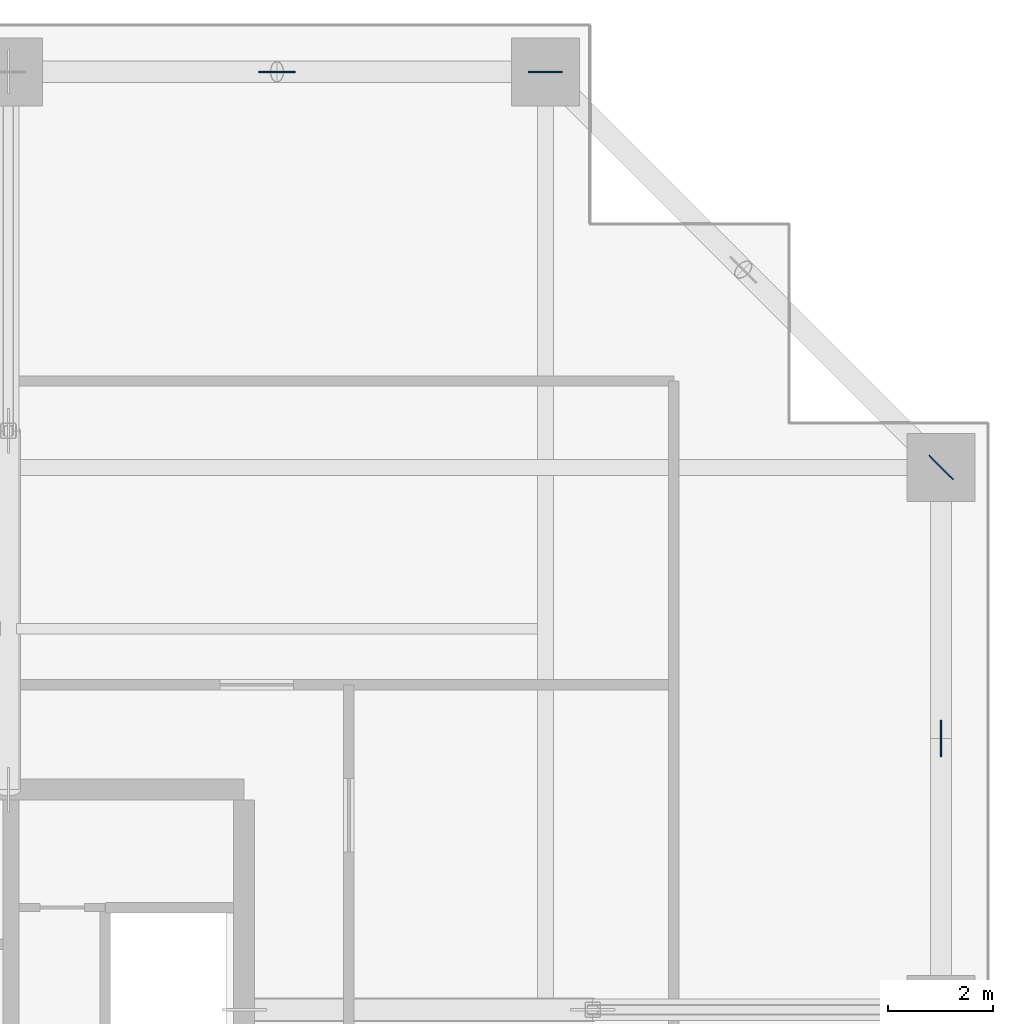
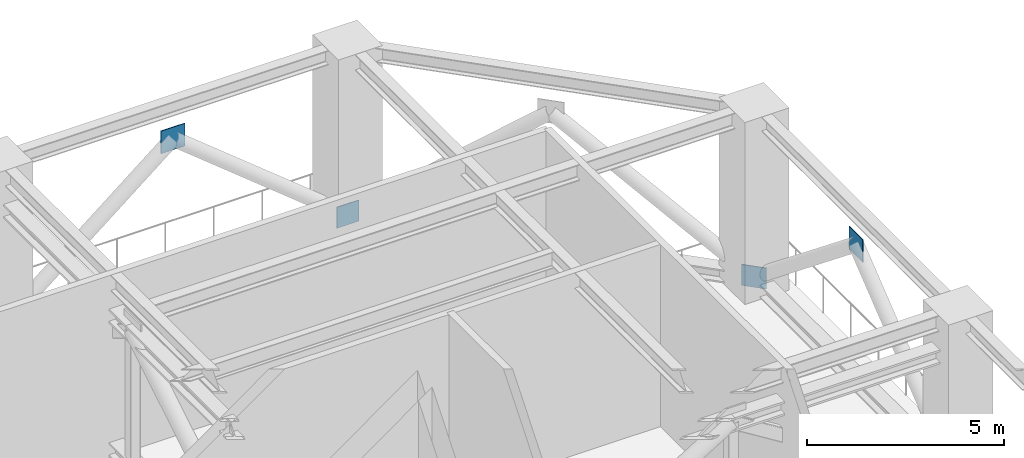
# One storey, part 14 of 22: 4 plates.
"""IFC4 building model written with IfcOpenShell, lengths in metres."""

from ifc_helpers import new_model, si_unit, direction, frame, origin, origin_2d, place, context, subcontext, project, spatial, rectangle, extrude, source, transform, mapped, material, layer, layer_set, type_object, element, save


model = new_model("IFC4")

# Units and contexts
model_context = context("Model", 3, precision=1e-05, world=origin(), true_north=direction((0.0, 1.0)))
body_context = subcontext(model_context, "Body", "Model", "MODEL_VIEW")
ifc_project = project(units=[si_unit("LENGTHUNIT", "METRE"), si_unit("AREAUNIT", "SQUARE_METRE"), si_unit("VOLUMEUNIT", "CUBIC_METRE"), si_unit("PLANEANGLEUNIT", "RADIAN"), si_unit("MASSUNIT", "GRAM", prefix="KILO")], contexts=[model_context])

# Site, building, storey
site_placement = place(None, origin())
site = spatial("IfcSite", under=ifc_project, at=site_placement, CompositionType="ELEMENT")
building_placement = place(site_placement, origin())
building = spatial("IfcBuilding", under=site, at=building_placement, Name="Serunith Strait Residences", CompositionType="ELEMENT")
storey_placement = place(building_placement, frame((0.0, 0.0, 198.89990234375)))
storey = spatial("IfcBuildingStorey", under=building, at=storey_placement, Name="L50", CompositionType="ELEMENT", Elevation=198.89990234375)

# Plates
ifc_material = material(Name="Steel S460M", Category="steel")
ifc_layer = layer(ifc_material, 0.02490234375, Name="Steel S460M")
ifc_layer_set = layer_set([ifc_layer], Name="Steel S460M")
plate_type = type_object("IfcPlateType", Name="PLT-CAP-25", PredefinedType="SHEET", material=ifc_layer_set)
shared_shape_1 = source(origin(), body_context, "Body", "SweptSolid", [
    extrude(rectangle(XDim=0.699951171875, YDim=0.02490234375, at=origin_2d()), origin(), (0.0, 0.0, 1.0), 0.699951171875),
])
for number, where, z_axis, x_axis, name in (
    (1, (54.699951171875, 34.574951171875, 4.0400390625), (0.0, 0.0, 1.0), (0.0, 1.0, 0.0), "L50 Belt Truss Apex Gusset 07"),
    (2, (42.02490234375, 47.300048828125, 4.0400390625), (0.0, 0.0, 1.0), (-1.0, 0.0, 0.0), "L50 Belt Truss Apex Gusset 09"),
):
    element("IfcPlate", number, at=place(storey_placement, frame(where, z_axis=z_axis, x_axis=x_axis)), inside=storey, type_object=plate_type, Name=name, PredefinedType="SHEET", context=body_context, shape_type="MappedRepresentation", body=[
        mapped(shared_shape_1, transform((0.0, 0.0, 0.0), scale=1.0)),
    ])
shared_shape_2 = source(origin(), body_context, "Body", "SweptSolid", [
    extrude(rectangle(XDim=0.64990234375, YDim=0.02490234375, at=origin_2d()), origin(), (0.0, 0.0, 1.0), 0.64990234375),
])
for number, where, z_axis, x_axis, name in (
    (3, (54.699951171875, 39.75, -0.074951171875), (0.0, 0.0, 1.0), (-0.707106781187, 0.707106781187, 0.0), "L50 Belt Truss Column Node Plate 08"),
    (4, (47.14990234375, 47.300048828125, -0.074951171875), (0.0, 0.0, 1.0), (-1.0, 0.0, 0.0), "L50 Belt Truss Column Node Plate 09"),
):
    element("IfcPlate", number, at=place(storey_placement, frame(where, z_axis=z_axis, x_axis=x_axis)), inside=storey, type_object=plate_type, Name=name, PredefinedType="SHEET", context=body_context, shape_type="MappedRepresentation", body=[
        mapped(shared_shape_2, transform((0.0, 0.0, 0.0), scale=1.0)),
    ])

save(model, "model.ifc")
